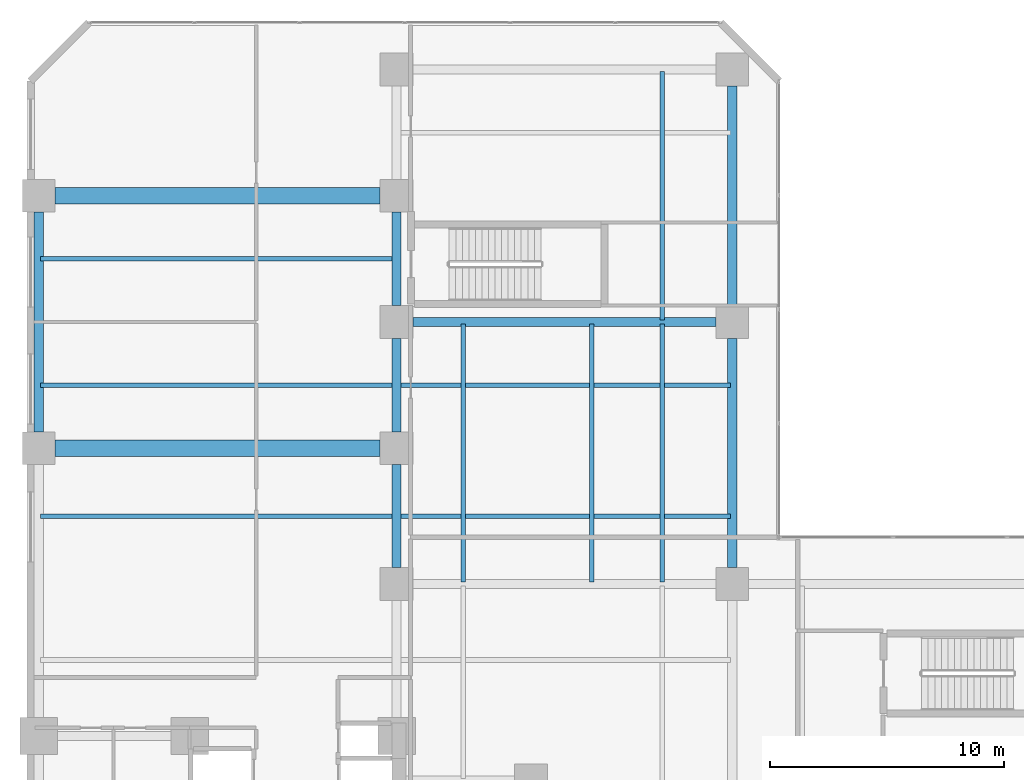
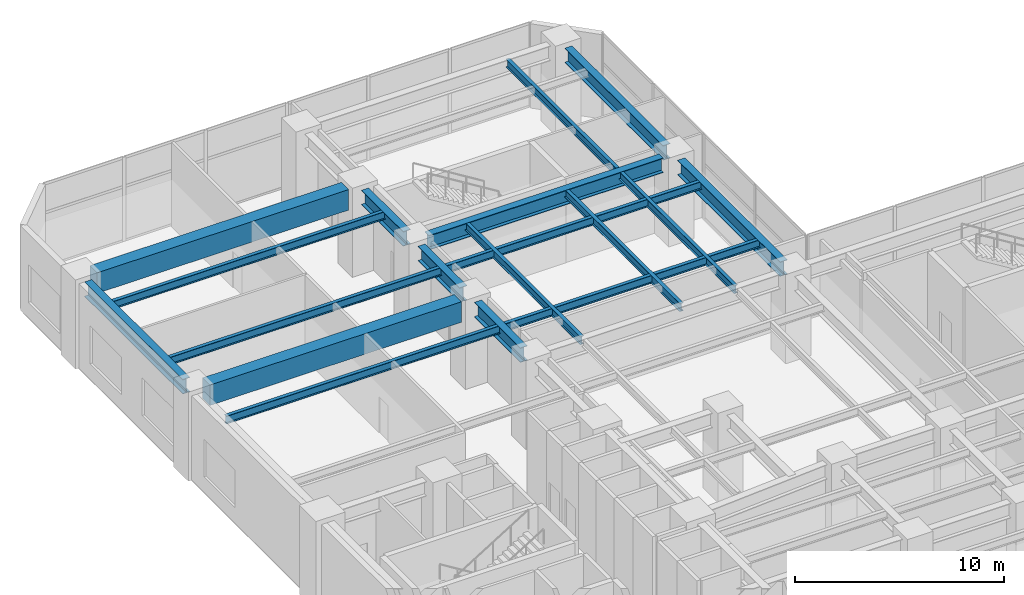
# One storey, part 5 of 22: 18 beams.
"""IFC4 building model written with IfcOpenShell, lengths in metres."""

from ifc_helpers import new_model, si_unit, direction, frame, origin, origin_2d, place, context, subcontext, project, spatial, rectangle, i_section, extrude, material, material_profile, profile_set, type_object, element, save


model = new_model("IFC4")

# Units and contexts
model_context = context("Model", 3, precision=1e-05, world=origin(), true_north=direction((0.0, 1.0)))
body_context = subcontext(model_context, "Body", "Model", "MODEL_VIEW")
ifc_project = project(units=[si_unit("LENGTHUNIT", "METRE"), si_unit("AREAUNIT", "SQUARE_METRE"), si_unit("VOLUMEUNIT", "CUBIC_METRE"), si_unit("PLANEANGLEUNIT", "RADIAN"), si_unit("MASSUNIT", "GRAM", prefix="KILO")], contexts=[model_context])

# Site, building, storey
site_placement = place(None, origin())
site = spatial("IfcSite", under=ifc_project, at=site_placement, CompositionType="ELEMENT")
building_placement = place(site_placement, origin())
building = spatial("IfcBuilding", under=site, at=building_placement, Name="Mawjaban Terraces University", CompositionType="ELEMENT")
storey_placement = place(building_placement, frame((0.0, 0.0, 10.39990234375)))
storey = spatial("IfcBuildingStorey", under=building, at=storey_placement, Name="L02", CompositionType="ELEMENT", Elevation=10.39990234375)

# Beams
ifc_material_1 = material(Name="Steel ASTM A572 Grade 50", Category="steel")
ifc_material_profile_1 = material_profile(ifc_material_1, i_section(OverallWidth=0.39990234375, OverallDepth=0.85498046875, WebThickness=0.018310546875, FlangeThickness=0.029296875, at=origin_2d()), Name="W840X299")
ifc_profile_set_1 = profile_set([ifc_material_profile_1], Name="Steel ASTM A572 Grade 50")
beam_type_1 = type_object("IfcBeamType", Name="Beam_B_W840X299", PredefinedType="BEAM", material=ifc_profile_set_1)
beam_1_placement = place(storey_placement, frame((38.35009765625, 41.199951171875, 4.4931640625), z_axis=(1.0, 0.0, 0.0), x_axis=(0.0, 1.0, 0.0)))
element("IfcBeam", 1, at=beam_1_placement, inside=storey, type_object=beam_type_1, Name="L02 Beam BM-L02-EW-16", PredefinedType="BEAM", context=body_context, shape_type="SweptSolid", body=[
    extrude(i_section(OverallWidth=0.39990234375, OverallDepth=0.85498046875, WebThickness=0.018310546875, FlangeThickness=0.029296875, at=origin_2d()), origin(), (0.0, 0.0, 1.0), 12.949951171875),
])
beam_2_placement = place(storey_placement, frame((22.35009765625, 36.5, 4.4931640625), z_axis=(0.0, 1.0, 0.0), x_axis=(-1.0, 0.0, 0.0)))
element("IfcBeam", 2, at=beam_2_placement, inside=storey, type_object=beam_type_1, Name="L02 Beam BM-L02-NS-04", PredefinedType="BEAM", context=body_context, shape_type="SweptSolid", body=[
    extrude(i_section(OverallWidth=0.39990234375, OverallDepth=0.85498046875, WebThickness=0.018310546875, FlangeThickness=0.029296875, at=origin_2d()), origin(), (0.0, 0.0, 1.0), 9.39990234375),
])
beam_3_placement = place(storey_placement, frame((37.64990234375, 30.699951171875, 4.4931640625), z_axis=(0.0, 1.0, 0.0), x_axis=(-1.0, 0.0, 0.0)))
element("IfcBeam", 3, at=beam_3_placement, inside=storey, type_object=beam_type_1, Name="L02 Beam BM-L02-NS-09", PredefinedType="BEAM", context=body_context, shape_type="SweptSolid", body=[
    extrude(i_section(OverallWidth=0.39990234375, OverallDepth=0.85498046875, WebThickness=0.018310546875, FlangeThickness=0.029296875, at=origin_2d()), origin(), (0.0, 0.0, 1.0), 4.400146484375),
])
for number, where, z_axis, x_axis, name in (
    (4, (37.64990234375, 36.5, 4.4931640625), (0.0, 1.0, 0.0), (-1.0, 0.0, 0.0), "L02 Beam BM-L02-NS-10"),
    (5, (37.64990234375, 41.89990234375, 4.4931640625), (0.0, 1.0, 0.0), (-1.0, 0.0, 0.0), "L02 Beam BM-L02-NS-11"),
):
    element("IfcBeam", number, at=place(storey_placement, frame(where, z_axis=z_axis, x_axis=x_axis)), inside=storey, type_object=beam_type_1, Name=name, PredefinedType="BEAM", context=body_context, shape_type="SweptSolid", body=[
        extrude(i_section(OverallWidth=0.39990234375, OverallDepth=0.85498046875, WebThickness=0.018310546875, FlangeThickness=0.029296875, at=origin_2d()), origin(), (0.0, 0.0, 1.0), 4.0),
    ])
beam_4_placement = place(storey_placement, frame((52.0, 30.699951171875, 4.4931640625), z_axis=(0.0, 1.0, 0.0), x_axis=(-1.0, 0.0, 0.0)))
element("IfcBeam", 6, at=beam_4_placement, inside=storey, type_object=beam_type_1, Name="L02 Beam BM-L02-NS-17", PredefinedType="BEAM", context=body_context, shape_type="SweptSolid", body=[
    extrude(i_section(OverallWidth=0.39990234375, OverallDepth=0.85498046875, WebThickness=0.018310546875, FlangeThickness=0.029296875, at=origin_2d()), origin(), (0.0, 0.0, 1.0), 9.800048828125),
])
beam_5_placement = place(storey_placement, frame((52.0, 41.89990234375, 4.4931640625), z_axis=(0.0, 1.0, 0.0), x_axis=(-1.0, 0.0, 0.0)))
element("IfcBeam", 7, at=beam_5_placement, inside=storey, type_object=beam_type_1, Name="L02 Beam BM-L02-NS-18", PredefinedType="BEAM", context=body_context, shape_type="SweptSolid", body=[
    extrude(i_section(OverallWidth=0.39990234375, OverallDepth=0.85498046875, WebThickness=0.018310546875, FlangeThickness=0.029296875, at=origin_2d()), origin(), (0.0, 0.0, 1.0), 9.400146484375),
])
ifc_material_profile_2 = material_profile(ifc_material_1, i_section(OverallWidth=0.194091796875, OverallDepth=0.468994140625, WebThickness=0.011474609375, FlangeThickness=0.0205078125, at=origin_2d()), Name="W460X106")
ifc_profile_set_2 = profile_set([ifc_material_profile_2], Name="Steel ASTM A572 Grade 50")
beam_type_2 = type_object("IfcBeamType", Name="Beam_J_W460X106", PredefinedType="JOIST", material=ifc_profile_set_2)
beam_6_placement = place(storey_placement, frame((22.429931640625, 32.89990234375, 4.68505859375), z_axis=(1.0, 0.0, 0.0), x_axis=(0.0, 1.0, 0.0)))
element("IfcBeam", 8, at=beam_6_placement, inside=storey, type_object=beam_type_2, Name="L02 Composite Joist JST-L02-20", PredefinedType="JOIST", context=body_context, shape_type="SweptSolid", body=[
    extrude(i_section(OverallWidth=0.194091796875, OverallDepth=0.468994140625, WebThickness=0.011474609375, FlangeThickness=0.0205078125, at=origin_2d()), origin(), (0.0, 0.0, 1.0), 15.14013671875),
])
beam_7_placement = place(storey_placement, frame((37.72998046875, 32.89990234375, 4.68505859375), z_axis=(1.0, 0.0, 0.0), x_axis=(0.0, 1.0, 0.0)))
element("IfcBeam", 9, at=beam_7_placement, inside=storey, type_object=beam_type_2, Name="L02 Composite Joist JST-L02-21", PredefinedType="JOIST", context=body_context, shape_type="SweptSolid", body=[
    extrude(i_section(OverallWidth=0.194091796875, OverallDepth=0.468994140625, WebThickness=0.011474609375, FlangeThickness=0.0205078125, at=origin_2d()), origin(), (0.0, 0.0, 1.0), 14.18994140625),
])
beam_8_placement = place(storey_placement, frame((22.429931640625, 38.5, 4.68505859375), z_axis=(1.0, 0.0, 0.0), x_axis=(0.0, 1.0, 0.0)))
element("IfcBeam", 10, at=beam_8_placement, inside=storey, type_object=beam_type_2, Name="L02 Composite Joist JST-L02-22", PredefinedType="JOIST", context=body_context, shape_type="SweptSolid", body=[
    extrude(i_section(OverallWidth=0.194091796875, OverallDepth=0.468994140625, WebThickness=0.011474609375, FlangeThickness=0.0205078125, at=origin_2d()), origin(), (0.0, 0.0, 1.0), 15.14013671875),
])
beam_9_placement = place(storey_placement, frame((37.72998046875, 38.5, 4.68505859375), z_axis=(1.0, 0.0, 0.0), x_axis=(0.0, 1.0, 0.0)))
element("IfcBeam", 11, at=beam_9_placement, inside=storey, type_object=beam_type_2, Name="L02 Composite Joist JST-L02-23", PredefinedType="JOIST", context=body_context, shape_type="SweptSolid", body=[
    extrude(i_section(OverallWidth=0.194091796875, OverallDepth=0.468994140625, WebThickness=0.011474609375, FlangeThickness=0.0205078125, at=origin_2d()), origin(), (0.0, 0.0, 1.0), 14.18994140625),
])
beam_10_placement = place(storey_placement, frame((22.429931640625, 43.89990234375, 4.68505859375), z_axis=(1.0, 0.0, 0.0), x_axis=(0.0, 1.0, 0.0)))
element("IfcBeam", 12, at=beam_10_placement, inside=storey, type_object=beam_type_2, Name="L02 Composite Joist JST-L02-24", PredefinedType="JOIST", context=body_context, shape_type="SweptSolid", body=[
    extrude(i_section(OverallWidth=0.194091796875, OverallDepth=0.468994140625, WebThickness=0.011474609375, FlangeThickness=0.0205078125, at=origin_2d()), origin(), (0.0, 0.0, 1.0), 15.14013671875),
])
for number, where, z_axis, x_axis, name in (
    (13, (40.5, 30.080078125, 4.68505859375), (0.0, 1.0, 0.0), (-1.0, 0.0, 0.0), "L02 Composite Joist JST-L02-NS-28"),
    (14, (46.0, 30.080078125, 4.68505859375), (0.0, 1.0, 0.0), (-1.0, 0.0, 0.0), "L02 Composite Joist JST-L02-NS-29"),
    (15, (49.0, 30.080078125, 4.68505859375), (0.0, 1.0, 0.0), (-1.0, 0.0, 0.0), "L02 Composite Joist JST-L02-NS-31"),
):
    element("IfcBeam", number, at=place(storey_placement, frame(where, z_axis=z_axis, x_axis=x_axis)), inside=storey, type_object=beam_type_2, Name=name, PredefinedType="JOIST", context=body_context, shape_type="SweptSolid", body=[
        extrude(i_section(OverallWidth=0.194091796875, OverallDepth=0.468994140625, WebThickness=0.011474609375, FlangeThickness=0.0205078125, at=origin_2d()), origin(), (0.0, 0.0, 1.0), 11.0400390625),
    ])
beam_11_placement = place(storey_placement, frame((49.0, 41.280029296875, 4.68505859375), z_axis=(0.0, 1.0, 0.0), x_axis=(-1.0, 0.0, 0.0)))
element("IfcBeam", 16, at=beam_11_placement, inside=storey, type_object=beam_type_2, Name="L02 Composite Joist JST-L02-NS-32", PredefinedType="JOIST", context=body_context, shape_type="SweptSolid", body=[
    extrude(i_section(OverallWidth=0.194091796875, OverallDepth=0.468994140625, WebThickness=0.011474609375, FlangeThickness=0.0205078125, at=origin_2d()), origin(), (0.0, 0.0, 1.0), 10.639892578125),
])
ifc_material_2 = material(Name="Concrete C50/60", Category="concrete")
ifc_material_profile_3 = material_profile(ifc_material_2, rectangle(XDim=0.699951171875, YDim=1.199951171875, at=origin_2d()), Name="RC1200X700")
ifc_profile_set_3 = profile_set([ifc_material_profile_3], Name="Concrete C50/60")
beam_type_3 = type_object("IfcBeamType", Name="PodiumLibraryTBeam_800", PredefinedType="T_BEAM", material=ifc_profile_set_3)
for number, where, z_axis, x_axis, name in (
    (17, (23.050048828125, 35.800048828125, 4.320068359375), (1.0, 0.0, 0.0), (0.0, 1.0, 0.0), "L02 Library Long-Span T-Beam 15"),
    (18, (23.050048828125, 46.60009765625, 4.320068359375), (1.0, 0.0, 0.0), (0.0, 1.0, 0.0), "L02 Library Long-Span T-Beam 17"),
):
    element("IfcBeam", number, at=place(storey_placement, frame(where, z_axis=z_axis, x_axis=x_axis)), inside=storey, type_object=beam_type_3, Name=name, PredefinedType="T_BEAM", context=body_context, shape_type="SweptSolid", body=[
        extrude(rectangle(XDim=0.699951171875, YDim=1.199951171875, at=origin_2d()), origin(), (0.0, 0.0, 1.0), 13.89990234375),
    ])

save(model, "model.ifc")
